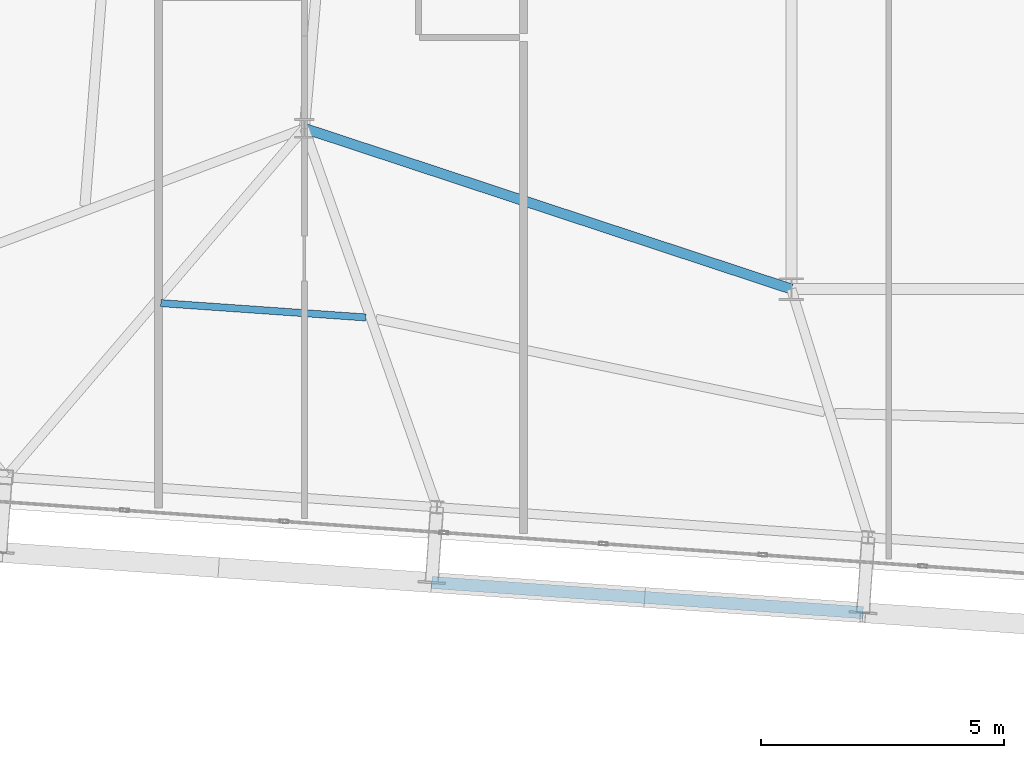
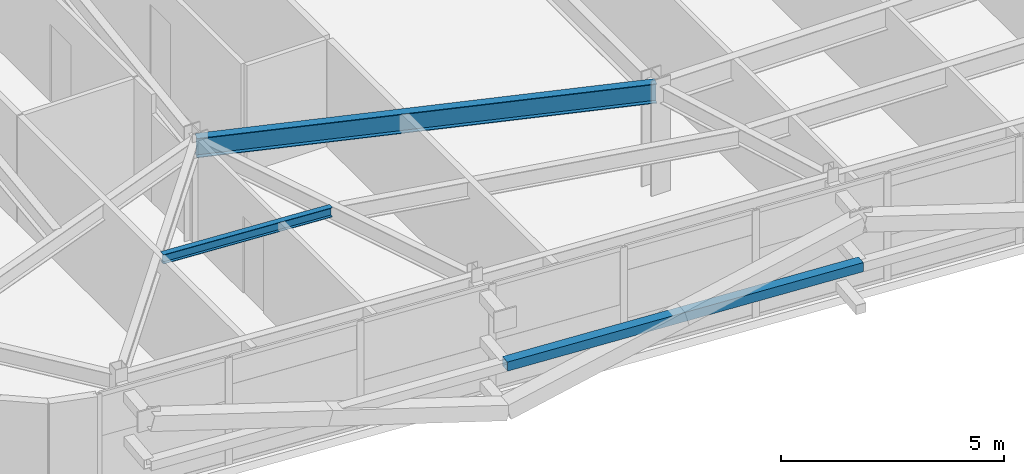
# One storey, part 10 of 47: 2 beams, 1 member.
"""IFC4 building model written with IfcOpenShell, lengths in metres."""

from ifc_helpers import new_model, si_unit, direction, frame, origin, origin_2d, place, context, subcontext, project, spatial, hollow_rectangle, i_section, extrude, source, transform, mapped, material, material_profile, profile_set, type_object, element, save


model = new_model("IFC4")

# Units and contexts
model_context = context("Model", 3, precision=1e-05, world=origin(), true_north=direction((0.0, 1.0)))
body_context = subcontext(model_context, "Body", "Model", "MODEL_VIEW")
ifc_project = project(units=[si_unit("LENGTHUNIT", "METRE"), si_unit("AREAUNIT", "SQUARE_METRE"), si_unit("VOLUMEUNIT", "CUBIC_METRE"), si_unit("PLANEANGLEUNIT", "RADIAN"), si_unit("MASSUNIT", "GRAM", prefix="KILO")], contexts=[model_context])

# Site, building, storey
site_placement = place(None, origin())
site = spatial("IfcSite", under=ifc_project, at=site_placement, CompositionType="ELEMENT")
building_placement = place(site_placement, origin())
building = spatial("IfcBuilding", under=site, at=building_placement, Name="Taldren Reach Tower", CompositionType="ELEMENT")
storey_placement = place(building_placement, frame((0.0, 0.0, 142.449951171875)))
storey = spatial("IfcBuildingStorey", under=building, at=storey_placement, Name="L43", CompositionType="ELEMENT", Elevation=142.449951171875)

# Beams
ifc_material_1 = material(Name="Steel Gr 350 (350PLUS)", Category="steel")
ifc_material_profile_1 = material_profile(ifc_material_1, i_section(OverallWidth=0.208984375, OverallDepth=0.532958984375, WebThickness=0.01025390625, FlangeThickness=0.015625, at=origin_2d()), Name="530UB92.4")
ifc_profile_set_1 = profile_set([ifc_material_profile_1], Name="Steel Gr 350 (350PLUS)")
beam_type_1 = type_object("IfcBeamType", Name="BM-UB530A", PredefinedType="BEAM", material=ifc_profile_set_1)
shared_shape_1 = source(origin(), body_context, "Body", "SweptSolid", [
    extrude(i_section(OverallWidth=0.208984375, OverallDepth=0.532958984375, WebThickness=0.01025390625, FlangeThickness=0.015625, at=origin_2d()), origin(), (0.0, 0.0, 1.0), 10.530517578125),
])
beam_1_placement = place(storey_placement, frame((18.0, 12.5, 2.66357421875), z_axis=(0.949627269203, -0.313381635689, 0.0), x_axis=(0.313381635689, 0.949627269203, 0.0)))
element("IfcBeam", 1, at=beam_1_placement, inside=storey, type_object=beam_type_1, Name="Core-spine girder L43-SP10", PredefinedType="BEAM", context=body_context, shape_type="MappedRepresentation", body=[
    mapped(shared_shape_1, transform((0.0, 0.0, 0.0), scale=1.0)),
])
ifc_material_2 = material(Name="Steel Gr 300 (300PLUS, 300 MPa)", Category="steel")
ifc_material_profile_2 = material_profile(ifc_material_2, i_section(OverallWidth=0.14599609375, OverallDepth=0.256103515625, WebThickness=0.00634765625, FlangeThickness=0.010986328125, at=origin_2d()), Name="250UB37.3")
ifc_profile_set_2 = profile_set([ifc_material_profile_2], Name="Steel Gr 300 (300PLUS, 300 MPa)")
beam_type_2 = type_object("IfcBeamType", Name="JS-UB250", PredefinedType="JOIST", material=ifc_profile_set_2)
shared_shape_2 = source(origin(), body_context, "Body", "SweptSolid", [
    extrude(i_section(OverallWidth=0.14599609375, OverallDepth=0.256103515625, WebThickness=0.00634765625, FlangeThickness=0.010986328125, at=origin_2d()), origin(), (0.0, 0.0, 1.0), 4.217041015625),
])
beam_2_placement = place(storey_placement, frame((15.050537109375, 8.910888671875, 2.802001953125), z_axis=(0.997563683226, -0.069761722378, 0.0), x_axis=(0.069761722378, 0.997563683226, 0.0)))
element("IfcBeam", 2, at=beam_2_placement, inside=storey, type_object=beam_type_2, Name="Secondary floor joist B3 J1 L43", PredefinedType="JOIST", context=body_context, shape_type="MappedRepresentation", body=[
    mapped(shared_shape_2, transform((0.0, 0.0, 0.0), scale=1.0)),
])

# Member
ifc_material_3 = material(Name="Steel Gr 350 (C350L0)", Category="steel")
ifc_material_profile_3 = material_profile(ifc_material_3, hollow_rectangle(XDim=0.25, YDim=0.25, WallThickness=0.010009765625, at=origin_2d()), Name="250x250x10.0SHS")
ifc_profile_set_3 = profile_set([ifc_material_profile_3], Name="Steel Gr 350 (C350L0)")
member_type = type_object("IfcMemberType", Name="MB-POST250", PredefinedType="POST", material=ifc_profile_set_3)
shared_shape_3 = source(origin(), body_context, "Body", "SweptSolid", [
    extrude(hollow_rectangle(XDim=0.25, YDim=0.25, WallThickness=0.010009765625, at=origin_2d()), origin(), (0.0, 0.0, 1.0), 8.880126953125),
])
member_placement = place(storey_placement, frame((20.61376953125, 3.1728515625, 1.43505859375), z_axis=(0.997562566276, -0.06977769246, 0.0), x_axis=(0.06977769246, 0.997562566276, 0.0)))
element("IfcMember", 3, at=member_placement, inside=storey, type_object=member_type, Name="Exoskeleton mid-height ring chord B3-S2 L43", PredefinedType="POST", context=body_context, shape_type="MappedRepresentation", body=[
    mapped(shared_shape_3, transform((0.0, 0.0, 0.0), scale=1.0)),
])

save(model, "model.ifc")
